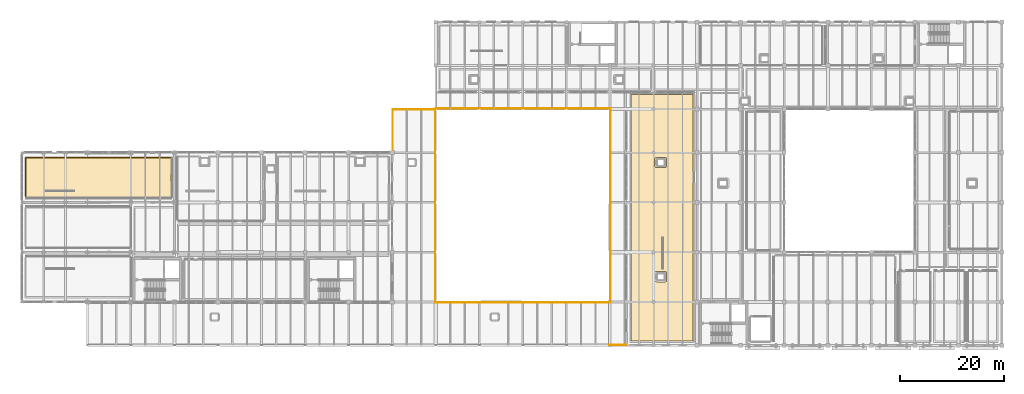
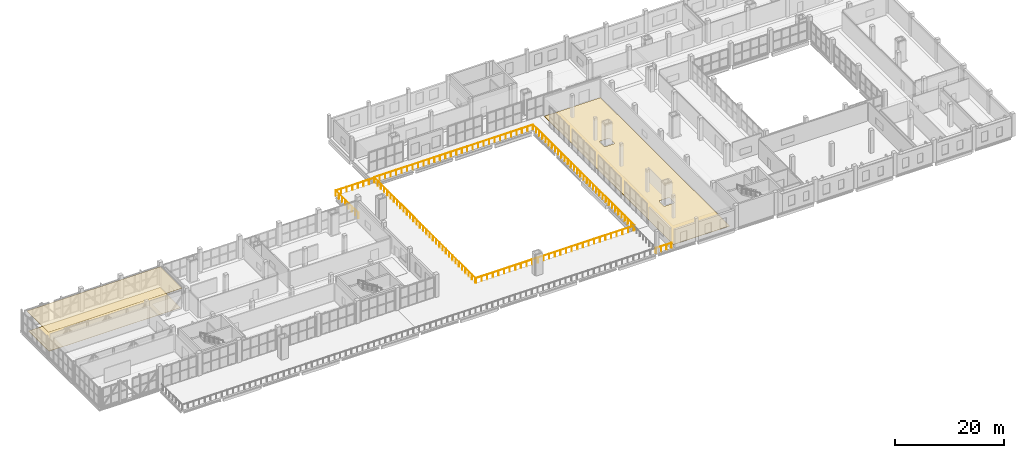
# One storey, part 72 of 77: 4 railings, 3 coverings.
"""IFC4 building model written with IfcOpenShell, lengths in metres."""

from ifc_helpers import new_model, si_unit, direction, frame, origin, origin_2d, place, context, subcontext, project, spatial, polyline, circle, outline, extrude, material, layer, layer_set, type_object, element, save


model = new_model("IFC4")

# Units and contexts
model_context = context("Model", 3, precision=1e-05, world=origin(), true_north=direction((0.0, 1.0)))
body_context = subcontext(model_context, "Body", "Model", "MODEL_VIEW")
ifc_project = project(units=[si_unit("LENGTHUNIT", "METRE"), si_unit("AREAUNIT", "SQUARE_METRE"), si_unit("VOLUMEUNIT", "CUBIC_METRE"), si_unit("PLANEANGLEUNIT", "RADIAN"), si_unit("MASSUNIT", "GRAM", prefix="KILO")], contexts=[model_context])

# Site, building, storey
site_placement = place(None, origin())
site = spatial("IfcSite", under=ifc_project, at=site_placement, CompositionType="ELEMENT")
building_placement = place(site_placement, origin())
building = spatial("IfcBuilding", under=site, at=building_placement, Name="Zulmaris Art Gallery", CompositionType="ELEMENT")
storey_placement = place(building_placement, frame((0.0, 0.0, 15.60009765625)))
storey = spatial("IfcBuildingStorey", under=building, at=storey_placement, Name="L03", CompositionType="ELEMENT", Elevation=15.60009765625)

# Coverings
ifc_material_1 = material(Name="Luminous UV-Diffusing Stretched Gallery Ceiling", Category="gypsum")
ifc_layer_1 = layer(ifc_material_1, 0.034912109375)
ifc_layer_set_1 = layer_set([ifc_layer_1], Name="Luminous UV-Diffusing Stretched Gallery Ceiling")
covering_type_1 = type_object("IfcCoveringType", Name="COV-CL02", PredefinedType="CEILING", material=ifc_layer_set_1)
covering_1_placement = place(storey_placement, frame((0.0, 0.0, 4.449951171875)))
element("IfcCovering", 1, at=covering_1_placement, inside=storey, type_object=covering_type_1, Name="Cantilever North Light Gallery acoustic ceiling", PredefinedType="CEILING", context=body_context, shape_type="SweptSolid", body=[
    extrude(outline(polyline([(12.010009765625, 49.590087890625), (40.389892578125, 49.590087890625), (40.389892578125, 41.610107421875), (12.010009765625, 41.610107421875), (12.010009765625, 49.590087890625)])), origin(), (0.0, 0.0, 1.0), 0.030029296875),
])
ifc_material_2 = material(Name="Oiled European Oak Gallery Parquet Flooring", Category="timber")
ifc_layer_2 = layer(ifc_material_2, 0.030029296875)
ifc_layer_set_2 = layer_set([ifc_layer_2], Name="Oiled European Oak Gallery Parquet Flooring")
covering_type_2 = type_object("IfcCoveringType", Name="COV-FL02", PredefinedType="FLOORING", material=ifc_layer_set_2)
covering_2_placement = place(storey_placement, origin())
element("IfcCovering", 2, at=covering_2_placement, inside=storey, type_object=covering_type_2, Name="Cantilever North Light Gallery finish flooring", PredefinedType="FLOORING", context=body_context, shape_type="SweptSolid", body=[
    extrude(outline(polyline([(40.169921875, 41.830078125), (12.22998046875, 41.830078125), (12.22998046875, 49.3701171875), (40.169921875, 49.3701171875), (40.169921875, 41.830078125)])), origin(), (0.0, 0.0, 1.0), 0.034912109375),
])
covering_3_placement = place(storey_placement, origin())
element("IfcCovering", 3, at=covering_3_placement, inside=storey, type_object=covering_type_2, Name="Setback Terrace Pavilion Gallery East finish flooring", PredefinedType="FLOORING", context=body_context, shape_type="SweptSolid", body=[
    extrude(outline(polyline([(140.77001953125, 14.030029296875), (128.830078125, 14.030029296875), (128.830078125, 61.570068359375), (140.77001953125, 61.570068359375), (140.77001953125, 14.030029296875)]), holes=[polyline([(133.7255859375, 27.498779296875), (133.701171875, 27.4951171875), (133.677490234375, 27.4892578125), (133.654296875, 27.48095703125), (133.632080078125, 27.470458984375), (133.611083984375, 27.4580078125), (133.59130859375, 27.443359375), (133.5732421875, 27.4267578125), (133.556640625, 27.40869140625), (133.5419921875, 27.388916015625), (133.529541015625, 27.367919921875), (133.51904296875, 27.345703125), (133.5107421875, 27.322509765625), (133.5048828125, 27.298828125), (133.501220703125, 27.2744140625), (133.5, 27.25), (133.5, 25.75), (133.501220703125, 25.7255859375), (133.5048828125, 25.701171875), (133.5107421875, 25.677490234375), (133.51904296875, 25.654296875), (133.529541015625, 25.632080078125), (133.5419921875, 25.611083984375), (133.556640625, 25.59130859375), (133.5732421875, 25.5732421875), (133.59130859375, 25.556640625), (133.611083984375, 25.5419921875), (133.632080078125, 25.529541015625), (133.654296875, 25.51904296875), (133.677490234375, 25.5107421875), (133.701171875, 25.5048828125), (133.7255859375, 25.501220703125), (133.75, 25.5), (135.449951171875, 25.5), (135.474609375, 25.501220703125), (135.498779296875, 25.5048828125), (135.522705078125, 25.5107421875), (135.545654296875, 25.51904296875), (135.56787109375, 25.529541015625), (135.5888671875, 25.5419921875), (135.608642578125, 25.556640625), (135.626708984375, 25.5732421875), (135.643310546875, 25.59130859375), (135.657958984375, 25.611083984375), (135.67041015625, 25.632080078125), (135.680908203125, 25.654296875), (135.689208984375, 25.677490234375), (135.6953125, 25.701171875), (135.69873046875, 25.7255859375), (135.699951171875, 25.75), (135.699951171875, 27.25), (135.69873046875, 27.2744140625), (135.6953125, 27.298828125), (135.689208984375, 27.322509765625), (135.680908203125, 27.345703125), (135.67041015625, 27.367919921875), (135.657958984375, 27.388916015625), (135.643310546875, 27.40869140625), (135.626708984375, 27.4267578125), (135.608642578125, 27.443359375), (135.5888671875, 27.4580078125), (135.56787109375, 27.470458984375), (135.545654296875, 27.48095703125), (135.522705078125, 27.4892578125), (135.498779296875, 27.4951171875), (135.474609375, 27.498779296875), (135.449951171875, 27.5), (133.75, 27.5), (133.7255859375, 27.498779296875)]), polyline([(133.7255859375, 49.498779296875), (133.701171875, 49.4951171875), (133.677490234375, 49.4892578125), (133.654296875, 49.48095703125), (133.632080078125, 49.470458984375), (133.611083984375, 49.4580078125), (133.59130859375, 49.443359375), (133.5732421875, 49.4267578125), (133.556640625, 49.40869140625), (133.5419921875, 49.388916015625), (133.529541015625, 49.367919921875), (133.51904296875, 49.345703125), (133.5107421875, 49.322509765625), (133.5048828125, 49.298828125), (133.501220703125, 49.2744140625), (133.5, 49.25), (133.5, 47.75), (133.501220703125, 47.7255859375), (133.5048828125, 47.701171875), (133.5107421875, 47.677490234375), (133.51904296875, 47.654296875), (133.529541015625, 47.632080078125), (133.5419921875, 47.611083984375), (133.556640625, 47.59130859375), (133.5732421875, 47.5732421875), (133.59130859375, 47.556640625), (133.611083984375, 47.5419921875), (133.632080078125, 47.529541015625), (133.654296875, 47.51904296875), (133.677490234375, 47.5107421875), (133.701171875, 47.5048828125), (133.7255859375, 47.501220703125), (133.75, 47.5), (135.449951171875, 47.5), (135.474609375, 47.501220703125), (135.498779296875, 47.5048828125), (135.522705078125, 47.5107421875), (135.545654296875, 47.51904296875), (135.56787109375, 47.529541015625), (135.5888671875, 47.5419921875), (135.608642578125, 47.556640625), (135.626708984375, 47.5732421875), (135.643310546875, 47.59130859375), (135.657958984375, 47.611083984375), (135.67041015625, 47.632080078125), (135.680908203125, 47.654296875), (135.689208984375, 47.677490234375), (135.6953125, 47.701171875), (135.69873046875, 47.7255859375), (135.699951171875, 47.75), (135.699951171875, 49.25), (135.69873046875, 49.2744140625), (135.6953125, 49.298828125), (135.689208984375, 49.322509765625), (135.680908203125, 49.345703125), (135.67041015625, 49.367919921875), (135.657958984375, 49.388916015625), (135.643310546875, 49.40869140625), (135.626708984375, 49.4267578125), (135.608642578125, 49.443359375), (135.5888671875, 49.4580078125), (135.56787109375, 49.470458984375), (135.545654296875, 49.48095703125), (135.522705078125, 49.4892578125), (135.498779296875, 49.4951171875), (135.474609375, 49.498779296875), (135.449951171875, 49.5), (133.75, 49.5), (133.7255859375, 49.498779296875)])]), origin(), (0.0, 0.0, 1.0), 0.034912109375),
])

# Railings
ifc_material_3 = material(Name="Bronze & Laminated Glass Balustrade", Category="glass")
ifc_layer_3 = layer(ifc_material_3, 0.070068359375)
ifc_layer_set_3 = layer_set([ifc_layer_3], Name="Bronze & Laminated Glass Balustrade")
railing_type_1 = type_object("IfcRailingType", Name="RAIL-BAL01", PredefinedType="BALUSTRADE", material=ifc_layer_set_3)
railing_1_placement = place(storey_placement, frame((91.199951171875, 58.89990234375, 0.0)))
element("IfcRailing", 4, at=railing_1_placement, inside=storey, type_object=railing_type_1, Name="V4 Setback Terrace Court Guard", PredefinedType="BALUSTRADE", context=body_context, shape_type="SweptSolid", body=[
    extrude(circle(Radius=0.02392578125, at=origin_2d()), frame((0.0, 0.0, 1.1357421875), z_axis=(1.0, 0.0, 0.0), x_axis=(0.0, 1.0, 0.0)), (0.0, 0.0, 1.0), 33.699951171875),
    extrude(circle(Radius=0.02392578125, at=origin_2d()), frame((33.699951171875, 0.0, 1.1357421875), z_axis=(0.0, -1.0, 0.0), x_axis=(1.0, 0.0, 0.0)), (0.0, 0.0, 1.0), 37.2998046875),
    extrude(circle(Radius=0.02099609375, at=origin_2d()), origin(), (0.0, 0.0, 1.0), 1.11181640625),
    extrude(circle(Radius=0.02099609375, at=origin_2d()), frame((1.162109375, 0.0, 0.0)), (0.0, 0.0, 1.0), 1.11181640625),
    extrude(circle(Radius=0.02099609375, at=origin_2d()), frame((2.32421875, 0.0, 0.0)), (0.0, 0.0, 1.0), 1.11181640625),
    extrude(circle(Radius=0.02099609375, at=origin_2d()), frame((3.486083984375, 0.0, 0.0)), (0.0, 0.0, 1.0), 1.11181640625),
    extrude(circle(Radius=0.02099609375, at=origin_2d()), frame((4.648193359375, 0.0, 0.0)), (0.0, 0.0, 1.0), 1.11181640625),
    extrude(circle(Radius=0.02099609375, at=origin_2d()), frame((5.810302734375, 0.0, 0.0)), (0.0, 0.0, 1.0), 1.11181640625),
    extrude(circle(Radius=0.02099609375, at=origin_2d()), frame((6.972412109375, 0.0, 0.0)), (0.0, 0.0, 1.0), 1.11181640625),
    extrude(circle(Radius=0.02099609375, at=origin_2d()), frame((8.134521484375, 0.0, 0.0)), (0.0, 0.0, 1.0), 1.11181640625),
    extrude(circle(Radius=0.02099609375, at=origin_2d()), frame((9.296630859375, 0.0, 0.0)), (0.0, 0.0, 1.0), 1.11181640625),
    extrude(circle(Radius=0.02099609375, at=origin_2d()), frame((10.45849609375, 0.0, 0.0)), (0.0, 0.0, 1.0), 1.11181640625),
    extrude(circle(Radius=0.02099609375, at=origin_2d()), frame((11.62060546875, 0.0, 0.0)), (0.0, 0.0, 1.0), 1.11181640625),
    extrude(circle(Radius=0.02099609375, at=origin_2d()), frame((12.78271484375, 0.0, 0.0)), (0.0, 0.0, 1.0), 1.11181640625),
    extrude(circle(Radius=0.02099609375, at=origin_2d()), frame((13.94482421875, 0.0, 0.0)), (0.0, 0.0, 1.0), 1.11181640625),
    extrude(circle(Radius=0.02099609375, at=origin_2d()), frame((15.10693359375, 0.0, 0.0)), (0.0, 0.0, 1.0), 1.11181640625),
    extrude(circle(Radius=0.02099609375, at=origin_2d()), frame((16.26904296875, 0.0, 0.0)), (0.0, 0.0, 1.0), 1.11181640625),
    extrude(circle(Radius=0.02099609375, at=origin_2d()), frame((17.430908203125, 0.0, 0.0)), (0.0, 0.0, 1.0), 1.11181640625),
    extrude(circle(Radius=0.02099609375, at=origin_2d()), frame((18.593017578125, 0.0, 0.0)), (0.0, 0.0, 1.0), 1.11181640625),
    extrude(circle(Radius=0.02099609375, at=origin_2d()), frame((19.755126953125, 0.0, 0.0)), (0.0, 0.0, 1.0), 1.11181640625),
    extrude(circle(Radius=0.02099609375, at=origin_2d()), frame((20.917236328125, 0.0, 0.0)), (0.0, 0.0, 1.0), 1.11181640625),
    extrude(circle(Radius=0.02099609375, at=origin_2d()), frame((22.079345703125, 0.0, 0.0)), (0.0, 0.0, 1.0), 1.11181640625),
    extrude(circle(Radius=0.02099609375, at=origin_2d()), frame((23.241455078125, 0.0, 0.0)), (0.0, 0.0, 1.0), 1.11181640625),
    extrude(circle(Radius=0.02099609375, at=origin_2d()), frame((24.4033203125, 0.0, 0.0)), (0.0, 0.0, 1.0), 1.11181640625),
    extrude(circle(Radius=0.02099609375, at=origin_2d()), frame((25.5654296875, 0.0, 0.0)), (0.0, 0.0, 1.0), 1.11181640625),
    extrude(circle(Radius=0.02099609375, at=origin_2d()), frame((26.7275390625, 0.0, 0.0)), (0.0, 0.0, 1.0), 1.11181640625),
    extrude(circle(Radius=0.02099609375, at=origin_2d()), frame((27.8896484375, 0.0, 0.0)), (0.0, 0.0, 1.0), 1.11181640625),
    extrude(circle(Radius=0.02099609375, at=origin_2d()), frame((29.0517578125, 0.0, 0.0)), (0.0, 0.0, 1.0), 1.11181640625),
    extrude(circle(Radius=0.02099609375, at=origin_2d()), frame((30.2138671875, 0.0, 0.0)), (0.0, 0.0, 1.0), 1.11181640625),
    extrude(circle(Radius=0.02099609375, at=origin_2d()), frame((31.375732421875, 0.0, 0.0)), (0.0, 0.0, 1.0), 1.11181640625),
    extrude(circle(Radius=0.02099609375, at=origin_2d()), frame((32.537841796875, 0.0, 0.0)), (0.0, 0.0, 1.0), 1.11181640625),
    extrude(circle(Radius=0.02099609375, at=origin_2d()), frame((33.699951171875, 0.0, 0.0)), (0.0, 0.0, 1.0), 1.11181640625),
    extrude(circle(Radius=0.02099609375, at=origin_2d()), frame((33.699951171875, -1.16552734375, 0.0)), (0.0, 0.0, 1.0), 1.11181640625),
    extrude(circle(Radius=0.02099609375, at=origin_2d()), frame((33.699951171875, -2.331298828125, 0.0)), (0.0, 0.0, 1.0), 1.11181640625),
    extrude(circle(Radius=0.02099609375, at=origin_2d()), frame((33.699951171875, -3.496826171875, 0.0)), (0.0, 0.0, 1.0), 1.11181640625),
    extrude(circle(Radius=0.02099609375, at=origin_2d()), frame((33.699951171875, -4.66259765625, 0.0)), (0.0, 0.0, 1.0), 1.11181640625),
    extrude(circle(Radius=0.02099609375, at=origin_2d()), frame((33.699951171875, -5.828125, 0.0)), (0.0, 0.0, 1.0), 1.11181640625),
    extrude(circle(Radius=0.02099609375, at=origin_2d()), frame((33.699951171875, -6.99365234375, 0.0)), (0.0, 0.0, 1.0), 1.11181640625),
    extrude(circle(Radius=0.02099609375, at=origin_2d()), frame((33.699951171875, -8.159423828125, 0.0)), (0.0, 0.0, 1.0), 1.11181640625),
    extrude(circle(Radius=0.02099609375, at=origin_2d()), frame((33.699951171875, -9.324951171875, 0.0)), (0.0, 0.0, 1.0), 1.11181640625),
    extrude(circle(Radius=0.02099609375, at=origin_2d()), frame((33.699951171875, -10.490478515625, 0.0)), (0.0, 0.0, 1.0), 1.11181640625),
    extrude(circle(Radius=0.02099609375, at=origin_2d()), frame((33.699951171875, -11.65625, 0.0)), (0.0, 0.0, 1.0), 1.11181640625),
    extrude(circle(Radius=0.02099609375, at=origin_2d()), frame((33.699951171875, -12.82177734375, 0.0)), (0.0, 0.0, 1.0), 1.11181640625),
    extrude(circle(Radius=0.02099609375, at=origin_2d()), frame((33.699951171875, -13.9873046875, 0.0)), (0.0, 0.0, 1.0), 1.11181640625),
    extrude(circle(Radius=0.02099609375, at=origin_2d()), frame((33.699951171875, -15.153076171875, 0.0)), (0.0, 0.0, 1.0), 1.11181640625),
    extrude(circle(Radius=0.02099609375, at=origin_2d()), frame((33.699951171875, -16.318603515625, 0.0)), (0.0, 0.0, 1.0), 1.11181640625),
    extrude(circle(Radius=0.02099609375, at=origin_2d()), frame((33.699951171875, -17.484375, 0.0)), (0.0, 0.0, 1.0), 1.11181640625),
    extrude(circle(Radius=0.02099609375, at=origin_2d()), frame((33.699951171875, -18.64990234375, 0.0)), (0.0, 0.0, 1.0), 1.11181640625),
    extrude(circle(Radius=0.02099609375, at=origin_2d()), frame((33.699951171875, -19.8154296875, 0.0)), (0.0, 0.0, 1.0), 1.11181640625),
    extrude(circle(Radius=0.02099609375, at=origin_2d()), frame((33.699951171875, -20.981201171875, 0.0)), (0.0, 0.0, 1.0), 1.11181640625),
    extrude(circle(Radius=0.02099609375, at=origin_2d()), frame((33.699951171875, -22.146728515625, 0.0)), (0.0, 0.0, 1.0), 1.11181640625),
    extrude(circle(Radius=0.02099609375, at=origin_2d()), frame((33.699951171875, -23.3125, 0.0)), (0.0, 0.0, 1.0), 1.11181640625),
    extrude(circle(Radius=0.02099609375, at=origin_2d()), frame((33.699951171875, -24.47802734375, 0.0)), (0.0, 0.0, 1.0), 1.11181640625),
    extrude(circle(Radius=0.02099609375, at=origin_2d()), frame((33.699951171875, -25.6435546875, 0.0)), (0.0, 0.0, 1.0), 1.11181640625),
    extrude(circle(Radius=0.02099609375, at=origin_2d()), frame((33.699951171875, -26.809326171875, 0.0)), (0.0, 0.0, 1.0), 1.11181640625),
    extrude(circle(Radius=0.02099609375, at=origin_2d()), frame((33.699951171875, -27.974853515625, 0.0)), (0.0, 0.0, 1.0), 1.11181640625),
    extrude(circle(Radius=0.02099609375, at=origin_2d()), frame((33.699951171875, -29.140380859375, 0.0)), (0.0, 0.0, 1.0), 1.11181640625),
    extrude(circle(Radius=0.02099609375, at=origin_2d()), frame((33.699951171875, -30.30615234375, 0.0)), (0.0, 0.0, 1.0), 1.11181640625),
    extrude(circle(Radius=0.02099609375, at=origin_2d()), frame((33.699951171875, -31.4716796875, 0.0)), (0.0, 0.0, 1.0), 1.11181640625),
    extrude(circle(Radius=0.02099609375, at=origin_2d()), frame((33.699951171875, -32.63720703125, 0.0)), (0.0, 0.0, 1.0), 1.11181640625),
    extrude(circle(Radius=0.02099609375, at=origin_2d()), frame((33.699951171875, -33.802978515625, 0.0)), (0.0, 0.0, 1.0), 1.11181640625),
    extrude(circle(Radius=0.02099609375, at=origin_2d()), frame((33.699951171875, -34.968505859375, 0.0)), (0.0, 0.0, 1.0), 1.11181640625),
    extrude(circle(Radius=0.02099609375, at=origin_2d()), frame((33.699951171875, -36.13427734375, 0.0)), (0.0, 0.0, 1.0), 1.11181640625),
    extrude(circle(Radius=0.02099609375, at=origin_2d()), frame((33.699951171875, -37.2998046875, 0.0)), (0.0, 0.0, 1.0), 1.11181640625),
])
ifc_layer_4 = layer(ifc_material_3, 0.070068359375)
ifc_layer_set_4 = layer_set([ifc_layer_4], Name="Bronze & Laminated Glass Balustrade")
railing_type_2 = type_object("IfcRailingType", Name="RAIL-BAL02", PredefinedType="BALUSTRADE", material=ifc_layer_set_4)
railing_2_placement = place(storey_placement, frame((124.699951171875, 13.300048828125, 0.0)))
element("IfcRailing", 5, at=railing_2_placement, inside=storey, type_object=railing_type_2, Name="L03 V2 Terrace East Extension Guard", PredefinedType="BALUSTRADE", context=body_context, shape_type="SweptSolid", body=[
    extrude(circle(Radius=0.02392578125, at=origin_2d()), frame((0.0, 0.0, 1.15576171875), z_axis=(1.0, 0.0, 0.0), x_axis=(0.0, 1.0, 0.0)), (0.0, 0.0, 1.0), 3.300048828125),
    extrude(circle(Radius=0.02099609375, at=origin_2d()), origin(), (0.0, 0.0, 1.0), 1.1318359375),
    extrude(circle(Radius=0.02099609375, at=origin_2d()), frame((1.10009765625, 0.0, 0.0)), (0.0, 0.0, 1.0), 1.1318359375),
    extrude(circle(Radius=0.02099609375, at=origin_2d()), frame((2.199951171875, 0.0, 0.0)), (0.0, 0.0, 1.0), 1.1318359375),
    extrude(circle(Radius=0.02099609375, at=origin_2d()), frame((3.300048828125, 0.0, 0.0)), (0.0, 0.0, 1.0), 1.1318359375),
])
railing_3_placement = place(storey_placement, frame((91.199951171875, 21.5, 0.0)))
element("IfcRailing", 6, at=railing_3_placement, inside=storey, type_object=railing_type_2, Name="V2 Sculpture Terrace Court-South Guard", PredefinedType="BALUSTRADE", context=body_context, shape_type="SweptSolid", body=[
    extrude(circle(Radius=0.02392578125, at=origin_2d()), frame((0.0, 0.0, 1.15576171875), z_axis=(1.0, 0.0, 0.0), x_axis=(0.0, 1.0, 0.0)), (0.0, 0.0, 1.0), 33.5),
    extrude(circle(Radius=0.02099609375, at=origin_2d()), origin(), (0.0, 0.0, 1.0), 1.1318359375),
    extrude(circle(Radius=0.02099609375, at=origin_2d()), frame((1.196533203125, 0.0, 0.0)), (0.0, 0.0, 1.0), 1.1318359375),
    extrude(circle(Radius=0.02099609375, at=origin_2d()), frame((2.392822265625, 0.0, 0.0)), (0.0, 0.0, 1.0), 1.1318359375),
    extrude(circle(Radius=0.02099609375, at=origin_2d()), frame((3.58935546875, 0.0, 0.0)), (0.0, 0.0, 1.0), 1.1318359375),
    extrude(circle(Radius=0.02099609375, at=origin_2d()), frame((4.78564453125, 0.0, 0.0)), (0.0, 0.0, 1.0), 1.1318359375),
    extrude(circle(Radius=0.02099609375, at=origin_2d()), frame((5.982177734375, 0.0, 0.0)), (0.0, 0.0, 1.0), 1.1318359375),
    extrude(circle(Radius=0.02099609375, at=origin_2d()), frame((7.178466796875, 0.0, 0.0)), (0.0, 0.0, 1.0), 1.1318359375),
    extrude(circle(Radius=0.02099609375, at=origin_2d()), frame((8.375, 0.0, 0.0)), (0.0, 0.0, 1.0), 1.1318359375),
    extrude(circle(Radius=0.02099609375, at=origin_2d()), frame((9.571533203125, 0.0, 0.0)), (0.0, 0.0, 1.0), 1.1318359375),
    extrude(circle(Radius=0.02099609375, at=origin_2d()), frame((10.767822265625, 0.0, 0.0)), (0.0, 0.0, 1.0), 1.1318359375),
    extrude(circle(Radius=0.02099609375, at=origin_2d()), frame((11.96435546875, 0.0, 0.0)), (0.0, 0.0, 1.0), 1.1318359375),
    extrude(circle(Radius=0.02099609375, at=origin_2d()), frame((13.16064453125, 0.0, 0.0)), (0.0, 0.0, 1.0), 1.1318359375),
    extrude(circle(Radius=0.02099609375, at=origin_2d()), frame((14.357177734375, 0.0, 0.0)), (0.0, 0.0, 1.0), 1.1318359375),
    extrude(circle(Radius=0.02099609375, at=origin_2d()), frame((15.553466796875, 0.0, 0.0)), (0.0, 0.0, 1.0), 1.1318359375),
    extrude(circle(Radius=0.02099609375, at=origin_2d()), frame((16.75, 0.0, 0.0)), (0.0, 0.0, 1.0), 1.1318359375),
    extrude(circle(Radius=0.02099609375, at=origin_2d()), frame((17.946533203125, 0.0, 0.0)), (0.0, 0.0, 1.0), 1.1318359375),
    extrude(circle(Radius=0.02099609375, at=origin_2d()), frame((19.142822265625, 0.0, 0.0)), (0.0, 0.0, 1.0), 1.1318359375),
    extrude(circle(Radius=0.02099609375, at=origin_2d()), frame((20.33935546875, 0.0, 0.0)), (0.0, 0.0, 1.0), 1.1318359375),
    extrude(circle(Radius=0.02099609375, at=origin_2d()), frame((21.53564453125, 0.0, 0.0)), (0.0, 0.0, 1.0), 1.1318359375),
    extrude(circle(Radius=0.02099609375, at=origin_2d()), frame((22.732177734375, 0.0, 0.0)), (0.0, 0.0, 1.0), 1.1318359375),
    extrude(circle(Radius=0.02099609375, at=origin_2d()), frame((23.928466796875, 0.0, 0.0)), (0.0, 0.0, 1.0), 1.1318359375),
    extrude(circle(Radius=0.02099609375, at=origin_2d()), frame((25.125, 0.0, 0.0)), (0.0, 0.0, 1.0), 1.1318359375),
    extrude(circle(Radius=0.02099609375, at=origin_2d()), frame((26.321533203125, 0.0, 0.0)), (0.0, 0.0, 1.0), 1.1318359375),
    extrude(circle(Radius=0.02099609375, at=origin_2d()), frame((27.517822265625, 0.0, 0.0)), (0.0, 0.0, 1.0), 1.1318359375),
    extrude(circle(Radius=0.02099609375, at=origin_2d()), frame((28.71435546875, 0.0, 0.0)), (0.0, 0.0, 1.0), 1.1318359375),
    extrude(circle(Radius=0.02099609375, at=origin_2d()), frame((29.91064453125, 0.0, 0.0)), (0.0, 0.0, 1.0), 1.1318359375),
    extrude(circle(Radius=0.02099609375, at=origin_2d()), frame((31.107177734375, 0.0, 0.0)), (0.0, 0.0, 1.0), 1.1318359375),
    extrude(circle(Radius=0.02099609375, at=origin_2d()), frame((32.303466796875, 0.0, 0.0)), (0.0, 0.0, 1.0), 1.1318359375),
    extrude(circle(Radius=0.02099609375, at=origin_2d()), frame((33.5, 0.0, 0.0)), (0.0, 0.0, 1.0), 1.1318359375),
])
railing_4_placement = place(storey_placement, frame((91.10009765625, 21.60009765625, 0.0)))
element("IfcRailing", 7, at=railing_4_placement, inside=storey, type_object=railing_type_2, Name="V2 Bridge Terrace Guard", PredefinedType="BALUSTRADE", context=body_context, shape_type="SweptSolid", body=[
    extrude(circle(Radius=0.02392578125, at=origin_2d()), frame((0.0, 0.0, 1.15576171875), z_axis=(0.0, 1.0, 0.0), x_axis=(-1.0, 0.0, 0.0)), (0.0, 0.0, 1.0), 37.099853515625),
    extrude(circle(Radius=0.02392578125, at=origin_2d()), frame((0.0, 37.099853515625, 1.15576171875), z_axis=(-1.0, 0.0, 0.0), x_axis=(0.0, -1.0, 0.0)), (0.0, 0.0, 1.0), 8.2001953125),
    extrude(circle(Radius=0.02392578125, at=origin_2d()), frame((-8.2001953125, 37.099853515625, 1.15576171875), z_axis=(0.0, -1.0, 0.0), x_axis=(1.0, 0.0, 0.0)), (0.0, 0.0, 1.0), 8.300048828125),
    extrude(circle(Radius=0.02099609375, at=origin_2d()), origin(), (0.0, 0.0, 1.0), 1.1318359375),
    extrude(circle(Radius=0.02099609375, at=origin_2d()), frame((0.0, 1.19677734375, 0.0)), (0.0, 0.0, 1.0), 1.1318359375),
    extrude(circle(Radius=0.02099609375, at=origin_2d()), frame((0.0, 2.3935546875, 0.0)), (0.0, 0.0, 1.0), 1.1318359375),
    extrude(circle(Radius=0.02099609375, at=origin_2d()), frame((0.0, 3.59033203125, 0.0)), (0.0, 0.0, 1.0), 1.1318359375),
    extrude(circle(Radius=0.02099609375, at=origin_2d()), frame((0.0, 4.787109375, 0.0)), (0.0, 0.0, 1.0), 1.1318359375),
    extrude(circle(Radius=0.02099609375, at=origin_2d()), frame((0.0, 5.98388671875, 0.0)), (0.0, 0.0, 1.0), 1.1318359375),
    extrude(circle(Radius=0.02099609375, at=origin_2d()), frame((0.0, 7.1806640625, 0.0)), (0.0, 0.0, 1.0), 1.1318359375),
    extrude(circle(Radius=0.02099609375, at=origin_2d()), frame((0.0, 8.37744140625, 0.0)), (0.0, 0.0, 1.0), 1.1318359375),
    extrude(circle(Radius=0.02099609375, at=origin_2d()), frame((0.0, 9.57421875, 0.0)), (0.0, 0.0, 1.0), 1.1318359375),
    extrude(circle(Radius=0.02099609375, at=origin_2d()), frame((0.0, 10.77099609375, 0.0)), (0.0, 0.0, 1.0), 1.1318359375),
    extrude(circle(Radius=0.02099609375, at=origin_2d()), frame((0.0, 11.9677734375, 0.0)), (0.0, 0.0, 1.0), 1.1318359375),
    extrude(circle(Radius=0.02099609375, at=origin_2d()), frame((0.0, 13.16455078125, 0.0)), (0.0, 0.0, 1.0), 1.1318359375),
    extrude(circle(Radius=0.02099609375, at=origin_2d()), frame((0.0, 14.361328125, 0.0)), (0.0, 0.0, 1.0), 1.1318359375),
    extrude(circle(Radius=0.02099609375, at=origin_2d()), frame((0.0, 15.55810546875, 0.0)), (0.0, 0.0, 1.0), 1.1318359375),
    extrude(circle(Radius=0.02099609375, at=origin_2d()), frame((0.0, 16.7548828125, 0.0)), (0.0, 0.0, 1.0), 1.1318359375),
    extrude(circle(Radius=0.02099609375, at=origin_2d()), frame((0.0, 17.95166015625, 0.0)), (0.0, 0.0, 1.0), 1.1318359375),
    extrude(circle(Radius=0.02099609375, at=origin_2d()), frame((0.0, 19.148193359375, 0.0)), (0.0, 0.0, 1.0), 1.1318359375),
    extrude(circle(Radius=0.02099609375, at=origin_2d()), frame((0.0, 20.344970703125, 0.0)), (0.0, 0.0, 1.0), 1.1318359375),
    extrude(circle(Radius=0.02099609375, at=origin_2d()), frame((0.0, 21.541748046875, 0.0)), (0.0, 0.0, 1.0), 1.1318359375),
    extrude(circle(Radius=0.02099609375, at=origin_2d()), frame((0.0, 22.738525390625, 0.0)), (0.0, 0.0, 1.0), 1.1318359375),
    extrude(circle(Radius=0.02099609375, at=origin_2d()), frame((0.0, 23.935302734375, 0.0)), (0.0, 0.0, 1.0), 1.1318359375),
    extrude(circle(Radius=0.02099609375, at=origin_2d()), frame((0.0, 25.132080078125, 0.0)), (0.0, 0.0, 1.0), 1.1318359375),
    extrude(circle(Radius=0.02099609375, at=origin_2d()), frame((0.0, 26.328857421875, 0.0)), (0.0, 0.0, 1.0), 1.1318359375),
    extrude(circle(Radius=0.02099609375, at=origin_2d()), frame((0.0, 27.525634765625, 0.0)), (0.0, 0.0, 1.0), 1.1318359375),
    extrude(circle(Radius=0.02099609375, at=origin_2d()), frame((0.0, 28.722412109375, 0.0)), (0.0, 0.0, 1.0), 1.1318359375),
    extrude(circle(Radius=0.02099609375, at=origin_2d()), frame((0.0, 29.919189453125, 0.0)), (0.0, 0.0, 1.0), 1.1318359375),
    extrude(circle(Radius=0.02099609375, at=origin_2d()), frame((0.0, 31.115966796875, 0.0)), (0.0, 0.0, 1.0), 1.1318359375),
    extrude(circle(Radius=0.02099609375, at=origin_2d()), frame((0.0, 32.312744140625, 0.0)), (0.0, 0.0, 1.0), 1.1318359375),
    extrude(circle(Radius=0.02099609375, at=origin_2d()), frame((0.0, 33.509521484375, 0.0)), (0.0, 0.0, 1.0), 1.1318359375),
    extrude(circle(Radius=0.02099609375, at=origin_2d()), frame((0.0, 34.706298828125, 0.0)), (0.0, 0.0, 1.0), 1.1318359375),
    extrude(circle(Radius=0.02099609375, at=origin_2d()), frame((0.0, 35.903076171875, 0.0)), (0.0, 0.0, 1.0), 1.1318359375),
    extrude(circle(Radius=0.02099609375, at=origin_2d()), frame((0.0, 37.099853515625, 0.0)), (0.0, 0.0, 1.0), 1.1318359375),
    extrude(circle(Radius=0.02099609375, at=origin_2d()), frame((-1.17138671875, 37.099853515625, 0.0)), (0.0, 0.0, 1.0), 1.1318359375),
    extrude(circle(Radius=0.02099609375, at=origin_2d()), frame((-2.343017578125, 37.099853515625, 0.0)), (0.0, 0.0, 1.0), 1.1318359375),
    extrude(circle(Radius=0.02099609375, at=origin_2d()), frame((-3.514404296875, 37.099853515625, 0.0)), (0.0, 0.0, 1.0), 1.1318359375),
    extrude(circle(Radius=0.02099609375, at=origin_2d()), frame((-4.685791015625, 37.099853515625, 0.0)), (0.0, 0.0, 1.0), 1.1318359375),
    extrude(circle(Radius=0.02099609375, at=origin_2d()), frame((-5.857177734375, 37.099853515625, 0.0)), (0.0, 0.0, 1.0), 1.1318359375),
    extrude(circle(Radius=0.02099609375, at=origin_2d()), frame((-7.02880859375, 37.099853515625, 0.0)), (0.0, 0.0, 1.0), 1.1318359375),
    extrude(circle(Radius=0.02099609375, at=origin_2d()), frame((-8.2001953125, 37.099853515625, 0.0)), (0.0, 0.0, 1.0), 1.1318359375),
    extrude(circle(Radius=0.02099609375, at=origin_2d()), frame((-8.2001953125, 35.9140625, 0.0)), (0.0, 0.0, 1.0), 1.1318359375),
    extrude(circle(Radius=0.02099609375, at=origin_2d()), frame((-8.2001953125, 34.728515625, 0.0)), (0.0, 0.0, 1.0), 1.1318359375),
    extrude(circle(Radius=0.02099609375, at=origin_2d()), frame((-8.2001953125, 33.542724609375, 0.0)), (0.0, 0.0, 1.0), 1.1318359375),
    extrude(circle(Radius=0.02099609375, at=origin_2d()), frame((-8.2001953125, 32.35693359375, 0.0)), (0.0, 0.0, 1.0), 1.1318359375),
    extrude(circle(Radius=0.02099609375, at=origin_2d()), frame((-8.2001953125, 31.171142578125, 0.0)), (0.0, 0.0, 1.0), 1.1318359375),
    extrude(circle(Radius=0.02099609375, at=origin_2d()), frame((-8.2001953125, 29.985595703125, 0.0)), (0.0, 0.0, 1.0), 1.1318359375),
    extrude(circle(Radius=0.02099609375, at=origin_2d()), frame((-8.2001953125, 28.7998046875, 0.0)), (0.0, 0.0, 1.0), 1.1318359375),
])

save(model, "model.ifc")
